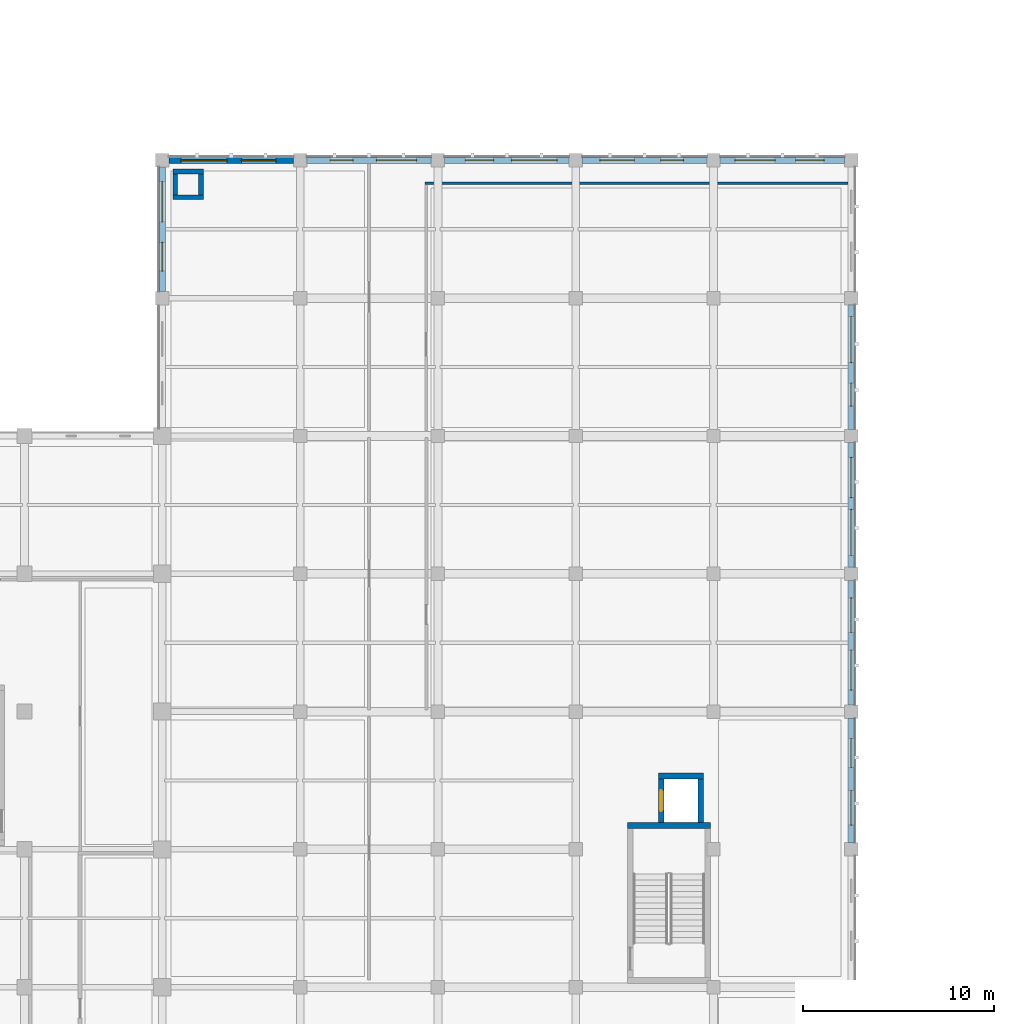
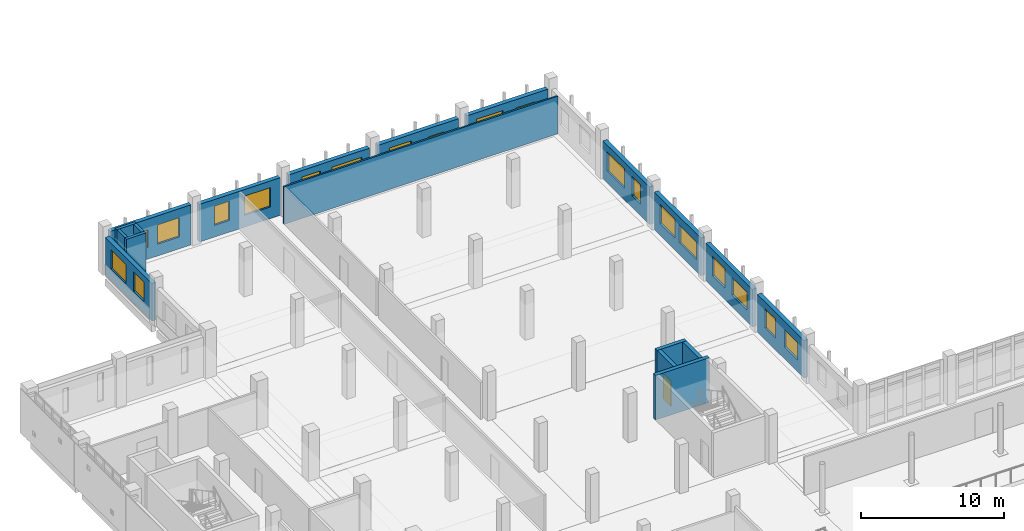
# One storey, part 43 of 62: 20 windows, 19 walls, 1 door, 21 openings.
"""IFC4 building model written with IfcOpenShell, lengths in metres."""

from ifc_helpers import new_model, si_unit, direction, frame, frame_2d, origin, place, context, subcontext, project, spatial, rectangle, extrude, material, layer, layer_set, type_object, element, fill, save


model = new_model("IFC4")

# Units and contexts
model_context = context("Model", 3, precision=1e-05, world=origin(), true_north=direction((0.0, 1.0)))
body_context = subcontext(model_context, "Body", "Model", "MODEL_VIEW")
ifc_project = project(units=[si_unit("LENGTHUNIT", "METRE"), si_unit("AREAUNIT", "SQUARE_METRE"), si_unit("VOLUMEUNIT", "CUBIC_METRE"), si_unit("PLANEANGLEUNIT", "RADIAN"), si_unit("MASSUNIT", "GRAM", prefix="KILO")], contexts=[model_context])

# Site, building, storey
site_placement = place(None, origin())
site = spatial("IfcSite", under=ifc_project, at=site_placement, CompositionType="ELEMENT")
building_placement = place(site_placement, origin())
building = spatial("IfcBuilding", under=site, at=building_placement, Name="Valkovuoma Quantum and Materials Research Institute", CompositionType="ELEMENT")
storey_placement = place(building_placement, frame((0.0, 0.0, 8.9599609375)))
storey = spatial("IfcBuildingStorey", under=building, at=storey_placement, Name="L02", CompositionType="ELEMENT", Elevation=8.9599609375)

# Walls
ifc_material_1 = material(Name="Concrete C40/50", Category="concrete")
ifc_layer_1 = layer(ifc_material_1, 0.300048828125)
ifc_layer_set_1 = layer_set([ifc_layer_1], Name="Concrete C40/50")
wall_type_1 = type_object("IfcWallType", Name="Wall-W-COR300", PredefinedType="SHEAR", material=ifc_layer_set_1)
wall_1_placement = place(storey_placement, frame((38.699951171875, 73.25, 0.0), z_axis=(0.0, 0.0, 1.0), x_axis=(1.0, 0.0, 0.0)))
element("IfcWall", 1, at=wall_1_placement, inside=storey, type_object=wall_type_1, Name="L02 core wall 0285", PredefinedType="SHEAR", context=body_context, shape_type="SweptSolid", body=[
    extrude(rectangle(XDim=4.35009765625, YDim=0.300048828125, at=frame_2d((2.175048828125, 0.0))), origin(), (0.0, 0.0, 1.0), 3.81005859375),
])
wall_2_placement = place(storey_placement, frame((40.320068359375, 75.830078125, 0.0), z_axis=(0.0, 0.0, 1.0), x_axis=(1.0, 0.0, 0.0)))
element("IfcWall", 2, at=wall_2_placement, inside=storey, type_object=wall_type_1, Name="L02 core wall 0288", PredefinedType="SHEAR", context=body_context, shape_type="SweptSolid", body=[
    extrude(rectangle(XDim=2.35986328125, YDim=0.300048828125, at=frame_2d((1.179931640625, 0.0))), origin(), (0.0, 0.0, 1.0), 3.81005859375),
])

# Wall, opening, door
wall_3_placement = place(storey_placement, frame((40.469970703125, 73.39990234375, 0.0), z_axis=(0.0, 0.0, 1.0), x_axis=(0.0, 1.0, 0.0)))
wall_3 = element("IfcWall", 3, at=wall_3_placement, inside=storey, type_object=wall_type_1, Name="L02 core wall 0289", PredefinedType="SHEAR", context=body_context, shape_type="SweptSolid", body=[
    extrude(rectangle(XDim=2.280029296875, YDim=0.300048828125, at=frame_2d((1.14013671875, 0.0))), origin(), (0.0, 0.0, 1.0), 3.81005859375),
])
opening_1_placement = place(wall_3_placement, frame((0.60009765625, 0.0, 0.0)))
opening_1 = element("IfcOpeningElement", 4, at=opening_1_placement, cuts=wall_3, Name="Opening LD-053", PredefinedType="OPENING", context=body_context, shape_type="SweptSolid", body=[
    extrude(rectangle(XDim=1.10009765625, YDim=2.199951171875, at=frame_2d((0.550048828125, 1.10009765625))), frame((0.0, 0.16015625, 0.0), z_axis=(0.0, -1.0, 0.0), x_axis=(1.0, 0.0, 0.0)), (0.0, 0.0, 1.0), 0.320068359375),
])
ifc_material_2 = material(Name="Powder-coated steel and acoustic timber door assembly", Category="steel")
door_type = type_object("IfcDoorType", Name="Door-DR-LD01", OperationType="NOTDEFINED", PredefinedType="DOOR", material=ifc_material_2)
door_placement = place(opening_1_placement, origin())
door = element("IfcDoor", 5, at=door_placement, inside=storey, type_object=door_type, Name="L02 LIFT-P4 sliding landing door", OperationType="SLIDING_TO_LEFT", OverallHeight=2.199951171875, OverallWidth=1.10009765625, PredefinedType="DOOR", context=body_context, shape_type="SweptSolid", body=[
    extrude(rectangle(XDim=1.10009765625, YDim=2.199951171875, at=frame_2d((0.550048828125, 1.10009765625))), frame((0.0, 0.02490234375, 0.0), z_axis=(0.0, -1.0, 0.0), x_axis=(1.0, 0.0, 0.0)), (0.0, 0.0, 1.0), 0.050048828125),
])
fill(opening_1, door)

# Wall
wall_4_placement = place(storey_placement, frame((42.530029296875, 73.39990234375, 0.0), z_axis=(0.0, 0.0, 1.0), x_axis=(0.0, 1.0, 0.0)))
element("IfcWall", 6, at=wall_4_placement, inside=storey, type_object=wall_type_1, Name="L02 core wall 0290", PredefinedType="SHEAR", context=body_context, shape_type="SweptSolid", body=[
    extrude(rectangle(XDim=2.280029296875, YDim=0.300048828125, at=frame_2d((1.14013671875, 0.0))), origin(), (0.0, 0.0, 1.0), 3.81005859375),
])

# Wall, openings, windows
ifc_material_3 = material(Name="Precast concrete C40/50", Category="concrete")
ifc_layer_2 = layer(ifc_material_3, 0.340087890625)
ifc_layer_set_2 = layer_set([ifc_layer_2], Name="Precast concrete C40/50")
wall_type_2 = type_object("IfcWallType", Name="Wall-W-EXT340", PredefinedType="SOLIDWALL", material=ifc_layer_set_2)
wall_5_placement = place(storey_placement, frame((14.739990234375, 108.0, 0.0), z_axis=(0.0, 0.0, 1.0), x_axis=(1.0, 0.0, 0.0)))
wall_5 = element("IfcWall", 7, at=wall_5_placement, inside=storey, type_object=wall_type_2, Name="L02 exterior wall 0141", PredefinedType="SOLIDWALL", context=body_context, shape_type="SweptSolid", body=[
    extrude(rectangle(XDim=6.52001953125, YDim=0.340087890625, at=frame_2d((3.260009765625, 0.0))), origin(), (0.0, 0.0, 1.0), 3.419921875),
])
opening_2_placement = place(wall_5_placement, frame((0.62548828125, 0.0, 1.0)))
opening_2 = element("IfcOpeningElement", 8, at=opening_2_placement, cuts=wall_5, Name="Opening WN-CL05", PredefinedType="OPENING", context=body_context, shape_type="SweptSolid", body=[
    extrude(rectangle(XDim=2.39990234375, YDim=1.5, at=frame_2d((1.199951171875, 0.75))), frame((0.0, 0.18017578125, 0.0), z_axis=(0.0, -1.0, 0.0), x_axis=(1.0, 0.0, 0.0)), (0.0, 0.0, 1.0), 0.360107421875),
])
opening_3_placement = place(wall_5_placement, frame((3.79443359375, 0.0, 1.0)))
opening_3 = element("IfcOpeningElement", 9, at=opening_3_placement, cuts=wall_5, Name="Opening WN-CL08", PredefinedType="OPENING", context=body_context, shape_type="SweptSolid", body=[
    extrude(rectangle(XDim=1.800048828125, YDim=1.64990234375, at=frame_2d((0.89990234375, 0.824951171875))), frame((0.0, 0.18017578125, 0.0), z_axis=(0.0, -1.0, 0.0), x_axis=(1.0, 0.0, 0.0)), (0.0, 0.0, 1.0), 0.360107421875),
])
ifc_material_4 = material(Name="Triple low-E argon glazing in thermally broken aluminium frame", Category="aluminium")
window_type_1 = type_object("IfcWindowType", Name="Win-WN-CL05", PartitioningType="SINGLE_PANEL", PredefinedType="WINDOW", material=ifc_material_4)
window_1_placement = place(opening_2_placement, origin())
window_1 = element("IfcWindow", 10, at=window_1_placement, inside=storey, type_object=window_type_1, Name="L02 window 0152", OverallHeight=1.5, OverallWidth=2.39990234375, PartitioningType="SINGLE_PANEL", PredefinedType="WINDOW", context=body_context, shape_type="SweptSolid", body=[
    extrude(rectangle(XDim=2.39990234375, YDim=1.5, at=frame_2d((1.199951171875, 0.75))), frame((0.0, 0.030029296875, 0.0), z_axis=(0.0, -1.0, 0.0), x_axis=(1.0, 0.0, 0.0)), (0.0, 0.0, 1.0), 0.06005859375),
])
fill(opening_2, window_1)
ifc_material_5 = material(Name="Triple low-E argon glazing in thermally broken aluminium frame", Category="aluminium")
window_type_2 = type_object("IfcWindowType", Name="Win-WN-CL08", PartitioningType="SINGLE_PANEL", PredefinedType="WINDOW", material=ifc_material_5)
window_2_placement = place(opening_3_placement, origin())
window_2 = element("IfcWindow", 11, at=window_2_placement, inside=storey, type_object=window_type_2, Name="L02 window 0153", OverallHeight=1.64990234375, OverallWidth=1.800048828125, PartitioningType="SINGLE_PANEL", PredefinedType="WINDOW", context=body_context, shape_type="SweptSolid", body=[
    extrude(rectangle(XDim=1.800048828125, YDim=1.64990234375, at=frame_2d((0.89990234375, 0.824951171875))), frame((0.0, 0.030029296875, 0.0), z_axis=(0.0, -1.0, 0.0), x_axis=(1.0, 0.0, 0.0)), (0.0, 0.0, 1.0), 0.06005859375),
])
fill(opening_3, window_2)

wall_6_placement = place(storey_placement, frame((21.93994140625, 108.0, 0.0), z_axis=(0.0, 0.0, 1.0), x_axis=(1.0, 0.0, 0.0)))
wall_6 = element("IfcWall", 12, at=wall_6_placement, inside=storey, type_object=wall_type_2, Name="L02 exterior wall 0142", PredefinedType="SOLIDWALL", context=body_context, shape_type="SweptSolid", body=[
    extrude(rectangle(XDim=6.52001953125, YDim=0.340087890625, at=frame_2d((3.260009765625, 0.0))), origin(), (0.0, 0.0, 1.0), 3.2099609375),
])
opening_4_placement = place(wall_6_placement, frame((1.2255859375, 0.0, 1.0)))
opening_4 = element("IfcOpeningElement", 13, at=opening_4_placement, cuts=wall_6, Name="Opening WN-CL06", PredefinedType="OPENING", context=body_context, shape_type="SweptSolid", body=[
    extrude(rectangle(XDim=1.199951171875, YDim=1.64990234375, at=frame_2d((0.60009765625, 0.824951171875))), frame((0.0, 0.18017578125, 0.0), z_axis=(0.0, -1.0, 0.0), x_axis=(1.0, 0.0, 0.0)), (0.0, 0.0, 1.0), 0.360107421875),
])
opening_5_placement = place(wall_6_placement, frame((3.644287109375, 0.0, 1.0)))
opening_5 = element("IfcOpeningElement", 14, at=opening_5_placement, cuts=wall_6, Name="Opening WN-CL09", PredefinedType="OPENING", context=body_context, shape_type="SweptSolid", body=[
    extrude(rectangle(XDim=2.10009765625, YDim=1.64990234375, at=frame_2d((1.050048828125, 0.824951171875))), frame((0.0, 0.18017578125, 0.0), z_axis=(0.0, -1.0, 0.0), x_axis=(1.0, 0.0, 0.0)), (0.0, 0.0, 1.0), 0.360107421875),
])
ifc_material_6 = material(Name="Triple low-E argon glazing in thermally broken aluminium frame", Category="aluminium")
window_type_3 = type_object("IfcWindowType", Name="Win-WN-CL06", PartitioningType="SINGLE_PANEL", PredefinedType="WINDOW", material=ifc_material_6)
window_3_placement = place(opening_4_placement, origin())
window_3 = element("IfcWindow", 15, at=window_3_placement, inside=storey, type_object=window_type_3, Name="L02 window 0154", OverallHeight=1.64990234375, OverallWidth=1.199951171875, PartitioningType="SINGLE_PANEL", PredefinedType="WINDOW", context=body_context, shape_type="SweptSolid", body=[
    extrude(rectangle(XDim=1.199951171875, YDim=1.64990234375, at=frame_2d((0.60009765625, 0.824951171875))), frame((0.0, 0.030029296875, 0.0), z_axis=(0.0, -1.0, 0.0), x_axis=(1.0, 0.0, 0.0)), (0.0, 0.0, 1.0), 0.06005859375),
])
fill(opening_4, window_3)
ifc_material_7 = material(Name="Triple low-E argon glazing in thermally broken aluminium frame", Category="aluminium")
window_type_4 = type_object("IfcWindowType", Name="Win-WN-CL09", PartitioningType="SINGLE_PANEL", PredefinedType="WINDOW", material=ifc_material_7)
window_4_placement = place(opening_5_placement, origin())
window_4 = element("IfcWindow", 16, at=window_4_placement, inside=storey, type_object=window_type_4, Name="L02 window 0155", OverallHeight=1.64990234375, OverallWidth=2.10009765625, PartitioningType="SINGLE_PANEL", PredefinedType="WINDOW", context=body_context, shape_type="SweptSolid", body=[
    extrude(rectangle(XDim=2.10009765625, YDim=1.64990234375, at=frame_2d((1.050048828125, 0.824951171875))), frame((0.0, 0.030029296875, 0.0), z_axis=(0.0, -1.0, 0.0), x_axis=(1.0, 0.0, 0.0)), (0.0, 0.0, 1.0), 0.06005859375),
])
fill(opening_5, window_4)

wall_7_placement = place(storey_placement, frame((29.139892578125, 108.0, 0.0), z_axis=(0.0, 0.0, 1.0), x_axis=(1.0, 0.0, 0.0)))
wall_7 = element("IfcWall", 17, at=wall_7_placement, inside=storey, type_object=wall_type_2, Name="L02 exterior wall 0143", PredefinedType="SOLIDWALL", context=body_context, shape_type="SweptSolid", body=[
    extrude(rectangle(XDim=6.52001953125, YDim=0.340087890625, at=frame_2d((3.260009765625, 0.0))), origin(), (0.0, 0.0, 1.0), 3.2099609375),
])
opening_6_placement = place(wall_7_placement, frame((1.07568359375, 0.0, 1.0)))
opening_6 = element("IfcOpeningElement", 18, at=opening_6_placement, cuts=wall_7, Name="Opening WN-CL07", PredefinedType="OPENING", context=body_context, shape_type="SweptSolid", body=[
    extrude(rectangle(XDim=1.5, YDim=1.64990234375, at=frame_2d((0.75, 0.824951171875))), frame((0.0, 0.18017578125, 0.0), z_axis=(0.0, -1.0, 0.0), x_axis=(1.0, 0.0, 0.0)), (0.0, 0.0, 1.0), 0.360107421875),
])
opening_7_placement = place(wall_7_placement, frame((3.494384765625, 0.0, 1.0)))
opening_7 = element("IfcOpeningElement", 19, at=opening_7_placement, cuts=wall_7, Name="Opening WN-CL10", PredefinedType="OPENING", context=body_context, shape_type="SweptSolid", body=[
    extrude(rectangle(XDim=2.39990234375, YDim=1.64990234375, at=frame_2d((1.199951171875, 0.824951171875))), frame((0.0, 0.18017578125, 0.0), z_axis=(0.0, -1.0, 0.0), x_axis=(1.0, 0.0, 0.0)), (0.0, 0.0, 1.0), 0.360107421875),
])
ifc_material_8 = material(Name="Triple low-E argon glazing in thermally broken aluminium frame", Category="aluminium")
window_type_5 = type_object("IfcWindowType", Name="Win-WN-CL07", PartitioningType="SINGLE_PANEL", PredefinedType="WINDOW", material=ifc_material_8)
window_5_placement = place(opening_6_placement, origin())
window_5 = element("IfcWindow", 20, at=window_5_placement, inside=storey, type_object=window_type_5, Name="L02 window 0156", OverallHeight=1.64990234375, OverallWidth=1.5, PartitioningType="SINGLE_PANEL", PredefinedType="WINDOW", context=body_context, shape_type="SweptSolid", body=[
    extrude(rectangle(XDim=1.5, YDim=1.64990234375, at=frame_2d((0.75, 0.824951171875))), frame((0.0, 0.030029296875, 0.0), z_axis=(0.0, -1.0, 0.0), x_axis=(1.0, 0.0, 0.0)), (0.0, 0.0, 1.0), 0.06005859375),
])
fill(opening_6, window_5)
ifc_material_9 = material(Name="Triple low-E argon glazing in thermally broken aluminium frame", Category="aluminium")
window_type_6 = type_object("IfcWindowType", Name="Win-WN-CL10", PartitioningType="SINGLE_PANEL", PredefinedType="WINDOW", material=ifc_material_9)
window_6_placement = place(opening_7_placement, origin())
window_6 = element("IfcWindow", 21, at=window_6_placement, inside=storey, type_object=window_type_6, Name="L02 window 0157", OverallHeight=1.64990234375, OverallWidth=2.39990234375, PartitioningType="SINGLE_PANEL", PredefinedType="WINDOW", context=body_context, shape_type="SweptSolid", body=[
    extrude(rectangle(XDim=2.39990234375, YDim=1.64990234375, at=frame_2d((1.199951171875, 0.824951171875))), frame((0.0, 0.030029296875, 0.0), z_axis=(0.0, -1.0, 0.0), x_axis=(1.0, 0.0, 0.0)), (0.0, 0.0, 1.0), 0.06005859375),
])
fill(opening_7, window_6)

wall_8_placement = place(storey_placement, frame((36.340087890625, 108.0, 0.0), z_axis=(0.0, 0.0, 1.0), x_axis=(1.0, 0.0, 0.0)))
wall_8 = element("IfcWall", 22, at=wall_8_placement, inside=storey, type_object=wall_type_2, Name="L02 exterior wall 0144", PredefinedType="SOLIDWALL", context=body_context, shape_type="SweptSolid", body=[
    extrude(rectangle(XDim=6.52001953125, YDim=0.340087890625, at=frame_2d((3.260009765625, 0.0))), origin(), (0.0, 0.0, 1.0), 3.2099609375),
])
opening_8_placement = place(wall_8_placement, frame((0.925537109375, 0.0, 1.0)))
opening_8 = element("IfcOpeningElement", 23, at=opening_8_placement, cuts=wall_8, Name="Opening WN-CL08", PredefinedType="OPENING", context=body_context, shape_type="SweptSolid", body=[
    extrude(rectangle(XDim=1.800048828125, YDim=1.64990234375, at=frame_2d((0.89990234375, 0.824951171875))), frame((0.0, 0.18017578125, 0.0), z_axis=(0.0, -1.0, 0.0), x_axis=(1.0, 0.0, 0.0)), (0.0, 0.0, 1.0), 0.360107421875),
])
opening_9_placement = place(wall_8_placement, frame((4.094482421875, 0.0, 1.0)))
opening_9 = element("IfcOpeningElement", 24, at=opening_9_placement, cuts=wall_8, Name="Opening WN-CL01", PredefinedType="OPENING", context=body_context, shape_type="SweptSolid", body=[
    extrude(rectangle(XDim=1.199951171875, YDim=1.5, at=frame_2d((0.60009765625, 0.75))), frame((0.0, 0.18017578125, 0.0), z_axis=(0.0, -1.0, 0.0), x_axis=(1.0, 0.0, 0.0)), (0.0, 0.0, 1.0), 0.360107421875),
])
ifc_material_10 = material(Name="Triple low-E argon glazing in thermally broken aluminium frame", Category="aluminium")
window_type_7 = type_object("IfcWindowType", Name="Win-WN-CL01", PartitioningType="SINGLE_PANEL", PredefinedType="WINDOW", material=ifc_material_10)
window_7_placement = place(opening_9_placement, origin())
window_7 = element("IfcWindow", 25, at=window_7_placement, inside=storey, type_object=window_type_7, Name="L02 window 0159", OverallHeight=1.5, OverallWidth=1.199951171875, PartitioningType="SINGLE_PANEL", PredefinedType="WINDOW", context=body_context, shape_type="SweptSolid", body=[
    extrude(rectangle(XDim=1.199951171875, YDim=1.5, at=frame_2d((0.60009765625, 0.75))), frame((0.0, 0.030029296875, 0.0), z_axis=(0.0, -1.0, 0.0), x_axis=(1.0, 0.0, 0.0)), (0.0, 0.0, 1.0), 0.06005859375),
])
fill(opening_9, window_7)
window_8_placement = place(opening_8_placement, origin())
window_8 = element("IfcWindow", 26, at=window_8_placement, inside=storey, type_object=window_type_2, Name="L02 window 0158", OverallHeight=1.64990234375, OverallWidth=1.800048828125, PartitioningType="SINGLE_PANEL", PredefinedType="WINDOW", context=body_context, shape_type="SweptSolid", body=[
    extrude(rectangle(XDim=1.800048828125, YDim=1.64990234375, at=frame_2d((0.89990234375, 0.824951171875))), frame((0.0, 0.030029296875, 0.0), z_axis=(0.0, -1.0, 0.0), x_axis=(1.0, 0.0, 0.0)), (0.0, 0.0, 1.0), 0.06005859375),
])
fill(opening_8, window_8)

wall_9_placement = place(storey_placement, frame((43.5400390625, 108.0, 0.0), z_axis=(0.0, 0.0, 1.0), x_axis=(1.0, 0.0, 0.0)))
wall_9 = element("IfcWall", 27, at=wall_9_placement, inside=storey, type_object=wall_type_2, Name="L02 exterior wall 0145", PredefinedType="SOLIDWALL", context=body_context, shape_type="SweptSolid", body=[
    extrude(rectangle(XDim=6.52001953125, YDim=0.340087890625, at=frame_2d((3.260009765625, 0.0))), origin(), (0.0, 0.0, 1.0), 3.2099609375),
])
opening_10_placement = place(wall_9_placement, frame((0.775634765625, 0.0, 1.0)))
opening_10 = element("IfcOpeningElement", 28, at=opening_10_placement, cuts=wall_9, Name="Opening WN-CL09", PredefinedType="OPENING", context=body_context, shape_type="SweptSolid", body=[
    extrude(rectangle(XDim=2.10009765625, YDim=1.64990234375, at=frame_2d((1.050048828125, 0.824951171875))), frame((0.0, 0.18017578125, 0.0), z_axis=(0.0, -1.0, 0.0), x_axis=(1.0, 0.0, 0.0)), (0.0, 0.0, 1.0), 0.360107421875),
])
opening_11_placement = place(wall_9_placement, frame((3.9443359375, 0.0, 1.0)))
opening_11 = element("IfcOpeningElement", 29, at=opening_11_placement, cuts=wall_9, Name="Opening WN-CL02", PredefinedType="OPENING", context=body_context, shape_type="SweptSolid", body=[
    extrude(rectangle(XDim=1.5, YDim=1.5, at=frame_2d((0.75, 0.75))), frame((0.0, 0.18017578125, 0.0), z_axis=(0.0, -1.0, 0.0), x_axis=(1.0, 0.0, 0.0)), (0.0, 0.0, 1.0), 0.360107421875),
])
ifc_material_11 = material(Name="Triple low-E argon glazing in thermally broken aluminium frame", Category="aluminium")
window_type_8 = type_object("IfcWindowType", Name="Win-WN-CL02", PartitioningType="SINGLE_PANEL", PredefinedType="WINDOW", material=ifc_material_11)
window_9_placement = place(opening_11_placement, origin())
window_9 = element("IfcWindow", 30, at=window_9_placement, inside=storey, type_object=window_type_8, Name="L02 window 0161", OverallHeight=1.5, OverallWidth=1.5, PartitioningType="SINGLE_PANEL", PredefinedType="WINDOW", context=body_context, shape_type="SweptSolid", body=[
    extrude(rectangle(XDim=1.5, YDim=1.5, at=frame_2d((0.75, 0.75))), frame((0.0, 0.030029296875, 0.0), z_axis=(0.0, -1.0, 0.0), x_axis=(1.0, 0.0, 0.0)), (0.0, 0.0, 1.0), 0.06005859375),
])
fill(opening_11, window_9)
window_10_placement = place(opening_10_placement, origin())
window_10 = element("IfcWindow", 31, at=window_10_placement, inside=storey, type_object=window_type_4, Name="L02 window 0160", OverallHeight=1.64990234375, OverallWidth=2.10009765625, PartitioningType="SINGLE_PANEL", PredefinedType="WINDOW", context=body_context, shape_type="SweptSolid", body=[
    extrude(rectangle(XDim=2.10009765625, YDim=1.64990234375, at=frame_2d((1.050048828125, 0.824951171875))), frame((0.0, 0.030029296875, 0.0), z_axis=(0.0, -1.0, 0.0), x_axis=(1.0, 0.0, 0.0)), (0.0, 0.0, 1.0), 0.06005859375),
])
fill(opening_10, window_10)

wall_10_placement = place(storey_placement, frame((50.39990234375, 72.340087890625, 0.0), z_axis=(0.0, 0.0, 1.0), x_axis=(0.0, 1.0, 0.0)))
wall_10 = element("IfcWall", 32, at=wall_10_placement, inside=storey, type_object=wall_type_2, Name="L02 exterior wall 0147", PredefinedType="SOLIDWALL", context=body_context, shape_type="SweptSolid", body=[
    extrude(rectangle(XDim=6.52001953125, YDim=0.340087890625, at=frame_2d((3.260009765625, 0.0))), origin(), (0.0, 0.0, 1.0), 3.2099609375),
])
opening_12_placement = place(wall_10_placement, frame((0.925537109375, 0.0, 1.0)))
opening_12 = element("IfcOpeningElement", 33, at=opening_12_placement, cuts=wall_10, Name="Opening WN-CL03", PredefinedType="OPENING", context=body_context, shape_type="SweptSolid", body=[
    extrude(rectangle(XDim=1.800048828125, YDim=1.5, at=frame_2d((0.89990234375, 0.75))), frame((0.0, 0.18017578125, 0.0), z_axis=(0.0, -1.0, 0.0), x_axis=(1.0, 0.0, 0.0)), (0.0, 0.0, 1.0), 0.360107421875),
])
opening_13_placement = place(wall_10_placement, frame((3.9443359375, 0.0, 1.0)))
opening_13 = element("IfcOpeningElement", 34, at=opening_13_placement, cuts=wall_10, Name="Opening WN-CL07", PredefinedType="OPENING", context=body_context, shape_type="SweptSolid", body=[
    extrude(rectangle(XDim=1.5, YDim=1.64990234375, at=frame_2d((0.75, 0.824951171875))), frame((0.0, 0.18017578125, 0.0), z_axis=(0.0, -1.0, 0.0), x_axis=(1.0, 0.0, 0.0)), (0.0, 0.0, 1.0), 0.360107421875),
])
ifc_material_12 = material(Name="Triple low-E argon glazing in thermally broken aluminium frame", Category="aluminium")
window_type_9 = type_object("IfcWindowType", Name="Win-WN-CL03", PartitioningType="SINGLE_PANEL", PredefinedType="WINDOW", material=ifc_material_12)
window_11_placement = place(opening_12_placement, origin())
window_11 = element("IfcWindow", 35, at=window_11_placement, inside=storey, type_object=window_type_9, Name="L02 window 0164", OverallHeight=1.5, OverallWidth=1.800048828125, PartitioningType="SINGLE_PANEL", PredefinedType="WINDOW", context=body_context, shape_type="SweptSolid", body=[
    extrude(rectangle(XDim=1.800048828125, YDim=1.5, at=frame_2d((0.89990234375, 0.75))), frame((0.0, 0.030029296875, 0.0), z_axis=(0.0, -1.0, 0.0), x_axis=(1.0, 0.0, 0.0)), (0.0, 0.0, 1.0), 0.06005859375),
])
fill(opening_12, window_11)
window_12_placement = place(opening_13_placement, origin())
window_12 = element("IfcWindow", 36, at=window_12_placement, inside=storey, type_object=window_type_5, Name="L02 window 0165", OverallHeight=1.64990234375, OverallWidth=1.5, PartitioningType="SINGLE_PANEL", PredefinedType="WINDOW", context=body_context, shape_type="SweptSolid", body=[
    extrude(rectangle(XDim=1.5, YDim=1.64990234375, at=frame_2d((0.75, 0.824951171875))), frame((0.0, 0.030029296875, 0.0), z_axis=(0.0, -1.0, 0.0), x_axis=(1.0, 0.0, 0.0)), (0.0, 0.0, 1.0), 0.06005859375),
])
fill(opening_13, window_12)

wall_11_placement = place(storey_placement, frame((50.39990234375, 79.5400390625, 0.0), z_axis=(0.0, 0.0, 1.0), x_axis=(0.0, 1.0, 0.0)))
wall_11 = element("IfcWall", 37, at=wall_11_placement, inside=storey, type_object=wall_type_2, Name="L02 exterior wall 0148", PredefinedType="SOLIDWALL", context=body_context, shape_type="SweptSolid", body=[
    extrude(rectangle(XDim=6.52001953125, YDim=0.340087890625, at=frame_2d((3.260009765625, 0.0))), origin(), (0.0, 0.0, 1.0), 3.2099609375),
])
opening_14_placement = place(wall_11_placement, frame((0.775634765625, 0.0, 1.0)))
opening_14 = element("IfcOpeningElement", 38, at=opening_14_placement, cuts=wall_11, Name="Opening WN-CL04", PredefinedType="OPENING", context=body_context, shape_type="SweptSolid", body=[
    extrude(rectangle(XDim=2.10009765625, YDim=1.5, at=frame_2d((1.050048828125, 0.75))), frame((0.0, 0.18017578125, 0.0), z_axis=(0.0, -1.0, 0.0), x_axis=(1.0, 0.0, 0.0)), (0.0, 0.0, 1.0), 0.360107421875),
])
opening_15_placement = place(wall_11_placement, frame((3.79443359375, 0.0, 1.0)))
opening_15 = element("IfcOpeningElement", 39, at=opening_15_placement, cuts=wall_11, Name="Opening WN-CL08", PredefinedType="OPENING", context=body_context, shape_type="SweptSolid", body=[
    extrude(rectangle(XDim=1.800048828125, YDim=1.64990234375, at=frame_2d((0.89990234375, 0.824951171875))), frame((0.0, 0.18017578125, 0.0), z_axis=(0.0, -1.0, 0.0), x_axis=(1.0, 0.0, 0.0)), (0.0, 0.0, 1.0), 0.360107421875),
])
ifc_material_13 = material(Name="Triple low-E argon glazing in thermally broken aluminium frame", Category="aluminium")
window_type_10 = type_object("IfcWindowType", Name="Win-WN-CL04", PartitioningType="SINGLE_PANEL", PredefinedType="WINDOW", material=ifc_material_13)
window_13_placement = place(opening_14_placement, origin())
window_13 = element("IfcWindow", 40, at=window_13_placement, inside=storey, type_object=window_type_10, Name="L02 window 0166", OverallHeight=1.5, OverallWidth=2.10009765625, PartitioningType="SINGLE_PANEL", PredefinedType="WINDOW", context=body_context, shape_type="SweptSolid", body=[
    extrude(rectangle(XDim=2.10009765625, YDim=1.5, at=frame_2d((1.050048828125, 0.75))), frame((0.0, 0.030029296875, 0.0), z_axis=(0.0, -1.0, 0.0), x_axis=(1.0, 0.0, 0.0)), (0.0, 0.0, 1.0), 0.06005859375),
])
fill(opening_14, window_13)
window_14_placement = place(opening_15_placement, origin())
window_14 = element("IfcWindow", 41, at=window_14_placement, inside=storey, type_object=window_type_2, Name="L02 window 0167", OverallHeight=1.64990234375, OverallWidth=1.800048828125, PartitioningType="SINGLE_PANEL", PredefinedType="WINDOW", context=body_context, shape_type="SweptSolid", body=[
    extrude(rectangle(XDim=1.800048828125, YDim=1.64990234375, at=frame_2d((0.89990234375, 0.824951171875))), frame((0.0, 0.030029296875, 0.0), z_axis=(0.0, -1.0, 0.0), x_axis=(1.0, 0.0, 0.0)), (0.0, 0.0, 1.0), 0.06005859375),
])
fill(opening_15, window_14)

wall_12_placement = place(storey_placement, frame((50.39990234375, 86.739990234375, 0.0), z_axis=(0.0, 0.0, 1.0), x_axis=(0.0, 1.0, 0.0)))
wall_12 = element("IfcWall", 42, at=wall_12_placement, inside=storey, type_object=wall_type_2, Name="L02 exterior wall 0149", PredefinedType="SOLIDWALL", context=body_context, shape_type="SweptSolid", body=[
    extrude(rectangle(XDim=6.52001953125, YDim=0.340087890625, at=frame_2d((3.260009765625, 0.0))), origin(), (0.0, 0.0, 1.0), 3.2099609375),
])
opening_16_placement = place(wall_12_placement, frame((0.62548828125, 0.0, 1.0)))
opening_16 = element("IfcOpeningElement", 43, at=opening_16_placement, cuts=wall_12, Name="Opening WN-CL05", PredefinedType="OPENING", context=body_context, shape_type="SweptSolid", body=[
    extrude(rectangle(XDim=2.39990234375, YDim=1.5, at=frame_2d((1.199951171875, 0.75))), frame((0.0, 0.18017578125, 0.0), z_axis=(0.0, -1.0, 0.0), x_axis=(1.0, 0.0, 0.0)), (0.0, 0.0, 1.0), 0.360107421875),
])
opening_17_placement = place(wall_12_placement, frame((3.644287109375, 0.0, 1.0)))
opening_17 = element("IfcOpeningElement", 44, at=opening_17_placement, cuts=wall_12, Name="Opening WN-CL09", PredefinedType="OPENING", context=body_context, shape_type="SweptSolid", body=[
    extrude(rectangle(XDim=2.10009765625, YDim=1.64990234375, at=frame_2d((1.050048828125, 0.824951171875))), frame((0.0, 0.18017578125, 0.0), z_axis=(0.0, -1.0, 0.0), x_axis=(1.0, 0.0, 0.0)), (0.0, 0.0, 1.0), 0.360107421875),
])
window_15_placement = place(opening_16_placement, origin())
window_15 = element("IfcWindow", 45, at=window_15_placement, inside=storey, type_object=window_type_1, Name="L02 window 0168", OverallHeight=1.5, OverallWidth=2.39990234375, PartitioningType="SINGLE_PANEL", PredefinedType="WINDOW", context=body_context, shape_type="SweptSolid", body=[
    extrude(rectangle(XDim=2.39990234375, YDim=1.5, at=frame_2d((1.199951171875, 0.75))), frame((0.0, 0.030029296875, 0.0), z_axis=(0.0, -1.0, 0.0), x_axis=(1.0, 0.0, 0.0)), (0.0, 0.0, 1.0), 0.06005859375),
])
fill(opening_16, window_15)
window_16_placement = place(opening_17_placement, origin())
window_16 = element("IfcWindow", 46, at=window_16_placement, inside=storey, type_object=window_type_4, Name="L02 window 0169", OverallHeight=1.64990234375, OverallWidth=2.10009765625, PartitioningType="SINGLE_PANEL", PredefinedType="WINDOW", context=body_context, shape_type="SweptSolid", body=[
    extrude(rectangle(XDim=2.10009765625, YDim=1.64990234375, at=frame_2d((1.050048828125, 0.824951171875))), frame((0.0, 0.030029296875, 0.0), z_axis=(0.0, -1.0, 0.0), x_axis=(1.0, 0.0, 0.0)), (0.0, 0.0, 1.0), 0.06005859375),
])
fill(opening_17, window_16)

wall_13_placement = place(storey_placement, frame((50.39990234375, 93.93994140625, 0.0), z_axis=(0.0, 0.0, 1.0), x_axis=(0.0, 1.0, 0.0)))
wall_13 = element("IfcWall", 47, at=wall_13_placement, inside=storey, type_object=wall_type_2, Name="L02 exterior wall 0150", PredefinedType="SOLIDWALL", context=body_context, shape_type="SweptSolid", body=[
    extrude(rectangle(XDim=6.52001953125, YDim=0.340087890625, at=frame_2d((3.260009765625, 0.0))), origin(), (0.0, 0.0, 1.0), 3.2099609375),
])
opening_18_placement = place(wall_13_placement, frame((1.2255859375, 0.0, 1.0)))
opening_18 = element("IfcOpeningElement", 48, at=opening_18_placement, cuts=wall_13, Name="Opening WN-CL06", PredefinedType="OPENING", context=body_context, shape_type="SweptSolid", body=[
    extrude(rectangle(XDim=1.199951171875, YDim=1.64990234375, at=frame_2d((0.60009765625, 0.824951171875))), frame((0.0, 0.18017578125, 0.0), z_axis=(0.0, -1.0, 0.0), x_axis=(1.0, 0.0, 0.0)), (0.0, 0.0, 1.0), 0.360107421875),
])
opening_19_placement = place(wall_13_placement, frame((3.494384765625, 0.0, 1.0)))
opening_19 = element("IfcOpeningElement", 49, at=opening_19_placement, cuts=wall_13, Name="Opening WN-CL10", PredefinedType="OPENING", context=body_context, shape_type="SweptSolid", body=[
    extrude(rectangle(XDim=2.39990234375, YDim=1.64990234375, at=frame_2d((1.199951171875, 0.824951171875))), frame((0.0, 0.18017578125, 0.0), z_axis=(0.0, -1.0, 0.0), x_axis=(1.0, 0.0, 0.0)), (0.0, 0.0, 1.0), 0.360107421875),
])
window_17_placement = place(opening_18_placement, origin())
window_17 = element("IfcWindow", 50, at=window_17_placement, inside=storey, type_object=window_type_3, Name="L02 window 0170", OverallHeight=1.64990234375, OverallWidth=1.199951171875, PartitioningType="SINGLE_PANEL", PredefinedType="WINDOW", context=body_context, shape_type="SweptSolid", body=[
    extrude(rectangle(XDim=1.199951171875, YDim=1.64990234375, at=frame_2d((0.60009765625, 0.824951171875))), frame((0.0, 0.030029296875, 0.0), z_axis=(0.0, -1.0, 0.0), x_axis=(1.0, 0.0, 0.0)), (0.0, 0.0, 1.0), 0.06005859375),
])
fill(opening_18, window_17)
window_18_placement = place(opening_19_placement, origin())
window_18 = element("IfcWindow", 51, at=window_18_placement, inside=storey, type_object=window_type_6, Name="L02 window 0171", OverallHeight=1.64990234375, OverallWidth=2.39990234375, PartitioningType="SINGLE_PANEL", PredefinedType="WINDOW", context=body_context, shape_type="SweptSolid", body=[
    extrude(rectangle(XDim=2.39990234375, YDim=1.64990234375, at=frame_2d((1.199951171875, 0.824951171875))), frame((0.0, 0.030029296875, 0.0), z_axis=(0.0, -1.0, 0.0), x_axis=(1.0, 0.0, 0.0)), (0.0, 0.0, 1.0), 0.06005859375),
])
fill(opening_19, window_18)

wall_14_placement = place(storey_placement, frame((14.39990234375, 101.139892578125, 0.0), z_axis=(0.0, 0.0, 1.0), x_axis=(0.0, 1.0, 0.0)))
wall_14 = element("IfcWall", 52, at=wall_14_placement, inside=storey, type_object=wall_type_2, Name="L02 exterior wall 0153", PredefinedType="SOLIDWALL", context=body_context, shape_type="SweptSolid", body=[
    extrude(rectangle(XDim=6.52001953125, YDim=0.340087890625, at=frame_2d((3.260009765625, 0.0))), origin(), (0.0, 0.0, 1.0), 3.2099609375),
])
opening_20_placement = place(wall_14_placement, frame((1.07568359375, 0.0, 1.0)))
opening_20 = element("IfcOpeningElement", 53, at=opening_20_placement, cuts=wall_14, Name="Opening WN-CL07", PredefinedType="OPENING", context=body_context, shape_type="SweptSolid", body=[
    extrude(rectangle(XDim=1.5, YDim=1.64990234375, at=frame_2d((0.75, 0.824951171875))), frame((0.0, 0.18017578125, 0.0), z_axis=(0.0, -1.0, 0.0), x_axis=(1.0, 0.0, 0.0)), (0.0, 0.0, 1.0), 0.360107421875),
])
opening_21_placement = place(wall_14_placement, frame((3.644287109375, 0.0, 1.0)))
opening_21 = element("IfcOpeningElement", 54, at=opening_21_placement, cuts=wall_14, Name="Opening WN-CL09", PredefinedType="OPENING", context=body_context, shape_type="SweptSolid", body=[
    extrude(rectangle(XDim=2.10009765625, YDim=1.64990234375, at=frame_2d((1.050048828125, 0.824951171875))), frame((0.0, 0.18017578125, 0.0), z_axis=(0.0, -1.0, 0.0), x_axis=(1.0, 0.0, 0.0)), (0.0, 0.0, 1.0), 0.360107421875),
])
window_19_placement = place(opening_20_placement, origin())
window_19 = element("IfcWindow", 55, at=window_19_placement, inside=storey, type_object=window_type_5, Name="L02 window 0176", OverallHeight=1.64990234375, OverallWidth=1.5, PartitioningType="SINGLE_PANEL", PredefinedType="WINDOW", context=body_context, shape_type="SweptSolid", body=[
    extrude(rectangle(XDim=1.5, YDim=1.64990234375, at=frame_2d((0.75, 0.824951171875))), frame((0.0, 0.030029296875, 0.0), z_axis=(0.0, -1.0, 0.0), x_axis=(1.0, 0.0, 0.0)), (0.0, 0.0, 1.0), 0.06005859375),
])
fill(opening_20, window_19)
window_20_placement = place(opening_21_placement, origin())
window_20 = element("IfcWindow", 56, at=window_20_placement, inside=storey, type_object=window_type_4, Name="L02 window 0177", OverallHeight=1.64990234375, OverallWidth=2.10009765625, PartitioningType="SINGLE_PANEL", PredefinedType="WINDOW", context=body_context, shape_type="SweptSolid", body=[
    extrude(rectangle(XDim=2.10009765625, YDim=1.64990234375, at=frame_2d((1.050048828125, 0.824951171875))), frame((0.0, 0.030029296875, 0.0), z_axis=(0.0, -1.0, 0.0), x_axis=(1.0, 0.0, 0.0)), (0.0, 0.0, 1.0), 0.06005859375),
])
fill(opening_21, window_20)

# Walls
ifc_material_14 = material(Name="Interior office stud partition", Category="masonry")
ifc_layer_3 = layer(ifc_material_14, 0.135009765625)
ifc_layer_set_3 = layer_set([ifc_layer_3], Name="Interior office stud partition")
wall_type_3 = type_object("IfcWallType", Name="Wall-W-PRT135", PredefinedType="PARTITIONING", material=ifc_layer_set_3)
wall_15_placement = place(storey_placement, frame((28.132568359375, 106.800048828125, 0.0), z_axis=(0.0, 0.0, 1.0), x_axis=(1.0, 0.0, 0.0)))
element("IfcWall", 57, at=wall_15_placement, inside=storey, type_object=wall_type_3, Name="L02 partition 0129", PredefinedType="PARTITIONING", context=body_context, shape_type="SweptSolid", body=[
    extrude(rectangle(XDim=22.097412109375, YDim=0.135009765625, at=frame_2d((11.048828125, 0.0))), origin(), (0.0, 0.0, 1.0), 3.2099609375),
])
ifc_material_15 = material(Name="Concrete C40/50", Category="concrete")
ifc_layer_4 = layer(ifc_material_15, 0.239990234375)
ifc_layer_set_4 = layer_set([ifc_layer_4], Name="Concrete C40/50")
wall_type_4 = type_object("IfcWallType", Name="Wall-W-SHF240", PredefinedType="SOLIDWALL", material=ifc_layer_set_4)
for number, where, z_axis, x_axis, name in (
    (58, (14.9599609375, 106.080078125, 0.0), (0.0, 0.0, 1.0), (1.0, 0.0, 0.0), "L02 core wall 0313"),
    (59, (14.9599609375, 107.419921875, 0.0), (0.0, 0.0, 1.0), (1.0, 0.0, 0.0), "L02 core wall 0314"),
):
    element("IfcWall", number, at=place(storey_placement, frame(where, z_axis=z_axis, x_axis=x_axis)), inside=storey, type_object=wall_type_4, Name=name, PredefinedType="SOLIDWALL", context=body_context, shape_type="SweptSolid", body=[
        extrude(rectangle(XDim=1.580078125, YDim=0.239990234375, at=frame_2d((0.7900390625, 0.0))), origin(), (0.0, 0.0, 1.0), 3.81005859375),
    ])
for number, where, z_axis, x_axis, name in (
    (60, (15.080078125, 106.199951171875, 0.0), (0.0, 0.0, 1.0), (0.0, 1.0, 0.0), "L02 core wall 0315"),
    (61, (16.419921875, 106.199951171875, 0.0), (0.0, 0.0, 1.0), (0.0, 1.0, 0.0), "L02 core wall 0316"),
):
    element("IfcWall", number, at=place(storey_placement, frame(where, z_axis=z_axis, x_axis=x_axis)), inside=storey, type_object=wall_type_4, Name=name, PredefinedType="SOLIDWALL", context=body_context, shape_type="SweptSolid", body=[
        extrude(rectangle(XDim=1.10009765625, YDim=0.239990234375, at=frame_2d((0.550048828125, 0.0))), origin(), (0.0, 0.0, 1.0), 3.81005859375),
    ])

save(model, "model.ifc")
